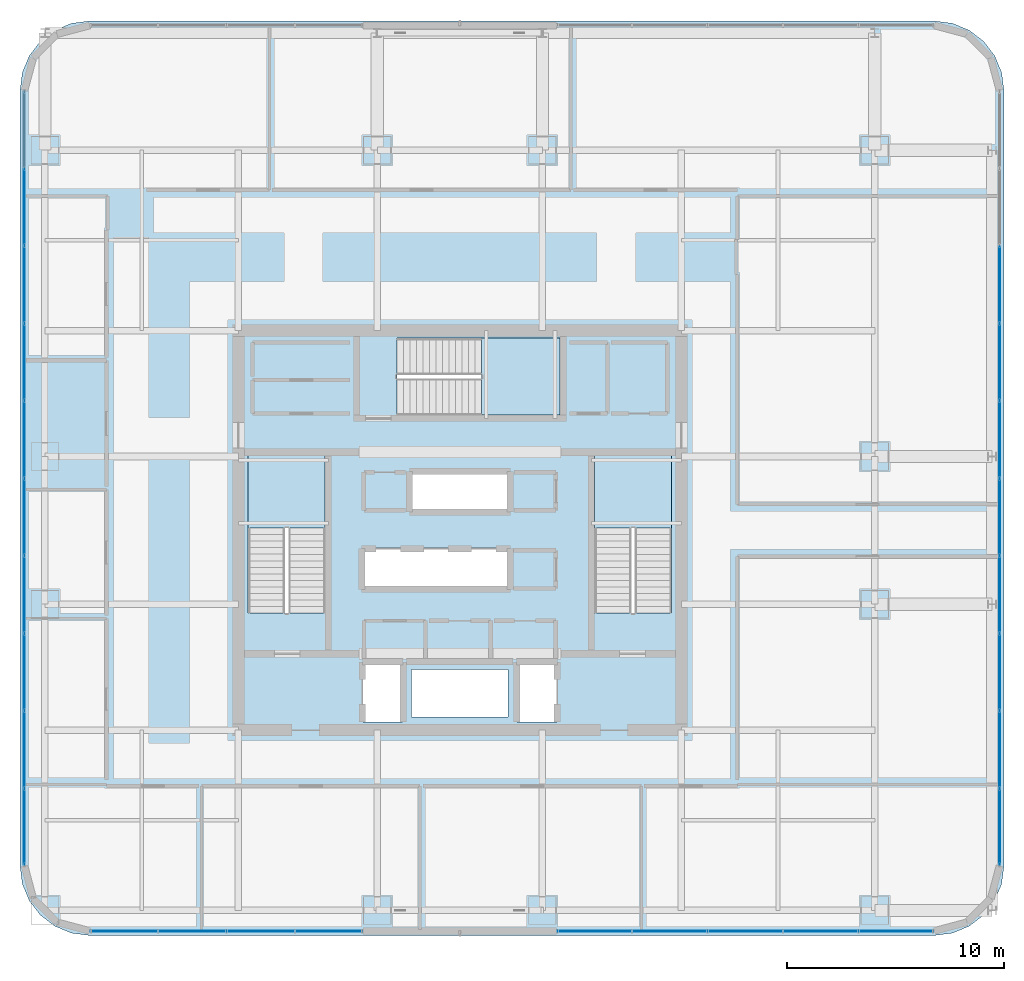
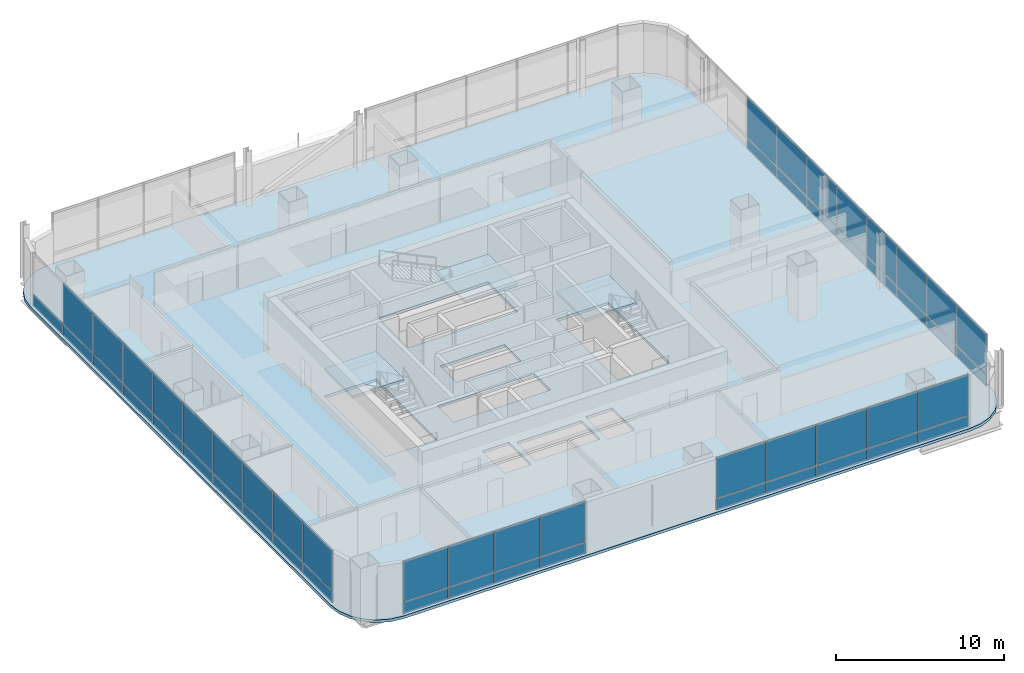
# One storey, part 29 of 44: 53 plates, 4 slabs, 7 elements without a shape of their own.
"""IFC4 building model written with IfcOpenShell, lengths in metres."""

import ifcopenshell
import ifcopenshell.guid

model = None  # the IFC model being written
_history = None  # IfcOwnerHistory: only IFC2X3 demands one
_inside = {}  # id of a spatial element -> (the spatial element, [elements in it])
_under = {}  # id of a project, library or spatial element -> (it, [spatial elements below it])
_declared = {}  # id of a project -> (the project, [libraries it declares])
_typed = {}  # id of a type object -> (the type object, [elements of that type])
_made_of = {}  # id of a material, layer set ... -> (it, [elements and type objects made of it])


def new_model(schema):
    """Start an empty IFC model of exactly this schema.

    Asked for "IFC4X3", IfcOpenShell would pick the latest addendum, in which some entities
    have other attributes; the version numbers below select the first issue.
    IFC2X3 requires an IfcOwnerHistory on every rooted entity: one is made here for all.
    """
    global model, _history
    if schema == "IFC4X3":
        model = ifcopenshell.file(schema_version=(4, 3, 0, 0))
    else:
        model = ifcopenshell.file(schema=schema)
    _inside.clear()
    _under.clear()
    _declared.clear()
    _typed.clear()
    _made_of.clear()
    _history = None
    if model.schema == "IFC2X3":
        org = make("IfcOrganization", Name="unknown")
        user = make(
            "IfcPersonAndOrganization",
            ThePerson=make("IfcPerson", FamilyName="unknown"),
            TheOrganization=org,
        )
        app = make(
            "IfcApplication",
            ApplicationDeveloper=org,
            Version="unknown",
            ApplicationFullName="unknown",
            ApplicationIdentifier="unknown",
        )
        _history = make(
            "IfcOwnerHistory",
            OwningUser=user,
            OwningApplication=app,
            ChangeAction="ADDED",
            CreationDate=0,
        )
    return model


def make(cls, **values):
    """One entity of the class cls with the attributes given. An attribute that is None is left unset."""
    return model.create_entity(
        cls, **{name: value for name, value in values.items() if value is not None}
    )


def rooted(cls, **values):
    """An entity with a GlobalId (a new one), such as an element, a storey or a relation."""
    return make(cls, GlobalId=ifcopenshell.guid.new(), OwnerHistory=_history, **values)


def si_unit(unit_type, name, prefix=None):
    """IfcSIUnit, for example si_unit("LENGTHUNIT", "METRE", prefix="MILLI")."""
    return make("IfcSIUnit", UnitType=unit_type, Prefix=prefix, Name=name)


def assignment(units):
    """IfcUnitAssignment: the units of a project."""
    return None if units is None else make("IfcUnitAssignment", Units=units)


def point(xyz):
    """IfcCartesianPoint."""
    return None if xyz is None else make("IfcCartesianPoint", Coordinates=xyz)


def direction(xyz):
    """IfcDirection."""
    return None if xyz is None else make("IfcDirection", DirectionRatios=xyz)


def frame(location, z_axis=None, x_axis=None):
    """IfcAxis2Placement3D, a coordinate frame: its origin and axes. An axis left out is left unset."""
    return make(
        "IfcAxis2Placement3D",
        Location=point(location),
        Axis=direction(z_axis),
        RefDirection=direction(x_axis),
    )


def frame_2d(location, x_axis=None):
    """IfcAxis2Placement2D, a coordinate frame in the plane: its origin and x axis."""
    return make(
        "IfcAxis2Placement2D", Location=point(location), RefDirection=direction(x_axis)
    )


def origin():
    """The frame at (0, 0, 0) with its axes left unset."""
    return frame((0.0, 0.0, 0.0))


def origin_2d():
    """The frame at (0, 0) in the plane with its x axis left unset."""
    return frame_2d((0.0, 0.0))


def place(relative_to, where):
    """IfcLocalPlacement: puts the frame where relative to a parent placement (None: the world)."""
    return make(
        "IfcLocalPlacement", PlacementRelTo=relative_to, RelativePlacement=where
    )


def context(
    kind, dimensions, precision=None, world=None, true_north=None, identifier=None
):
    """IfcGeometricRepresentationContext, for example the 3D "Model" context."""
    return make(
        "IfcGeometricRepresentationContext",
        ContextIdentifier=identifier,
        ContextType=kind,
        CoordinateSpaceDimension=dimensions,
        Precision=precision,
        WorldCoordinateSystem=world,
        TrueNorth=true_north,
    )


def subcontext(parent, identifier, kind, view, scale=None):
    """IfcGeometricRepresentationSubContext, for example "Body" below "Model"."""
    return make(
        "IfcGeometricRepresentationSubContext",
        ContextIdentifier=identifier,
        ContextType=kind,
        ParentContext=parent,
        TargetScale=scale,
        TargetView=view,
    )


def project(units=None, contexts=None):
    """IfcProject with its units and contexts."""
    return rooted(
        "IfcProject",
        Name="project",
        RepresentationContexts=contexts,
        UnitsInContext=assignment(units),
    )


def spatial(cls, under=None, at=None, **own):
    """A site, building, storey or space (cls), placed at a placement, below another one or the project."""
    s = rooted(cls, ObjectPlacement=at, **own)
    if under is not None:
        _under.setdefault(under.id(), (under, []))[1].append(s)
    return s


def polyline(points):
    """IfcPolyline through the points."""
    return make("IfcPolyline", Points=[point(p) for p in points])


def profile(cls, at=None, kind="AREA", **sizes):
    """A parametric profile (cls). Its sizes go by their IFC names, for example OverallWidth=200.0."""
    return make(cls, ProfileType=kind, Position=at, **sizes)


def rectangle(**sizes):
    """IfcRectangleProfileDef."""
    return profile("IfcRectangleProfileDef", **sizes)


def outline(outer, holes=None, kind="AREA"):
    """IfcArbitraryClosedProfileDef: a profile drawn as a closed curve; with holes, ...WithVoids."""
    if holes is None:
        return make("IfcArbitraryClosedProfileDef", ProfileType=kind, OuterCurve=outer)
    return make(
        "IfcArbitraryProfileDefWithVoids",
        ProfileType=kind,
        OuterCurve=outer,
        InnerCurves=holes,
    )


def extrude(swept, where, along, depth):
    """IfcExtrudedAreaSolid: the profile swept, set in the frame where, extruded along a direction by depth."""
    return make(
        "IfcExtrudedAreaSolid",
        SweptArea=swept,
        Position=where,
        ExtrudedDirection=direction(along),
        Depth=depth,
    )


def shape(context_of_items, identifier, shape_type, items):
    """IfcShapeRepresentation: the items that make up one representation, for example the "Body"."""
    return make(
        "IfcShapeRepresentation",
        ContextOfItems=context_of_items,
        RepresentationIdentifier=identifier,
        RepresentationType=shape_type,
        Items=items,
    )


def material(Name=None, Category=None):
    """IfcMaterial."""
    return make("IfcMaterial", Name=Name, Category=Category)


def layer(
    of_material, thickness, ventilated=None, Name=None, Category=None, Priority=None
):
    """IfcMaterialLayer: one layer of a wall or slab, of a material (None: an air gap)."""
    return make(
        "IfcMaterialLayer",
        Material=of_material,
        LayerThickness=thickness,
        IsVentilated=ventilated,
        Name=Name,
        Category=Category,
        Priority=Priority,
    )


def layer_set(layers, Name=None):
    """IfcMaterialLayerSet."""
    return make("IfcMaterialLayerSet", MaterialLayers=layers, LayerSetName=Name)


def made_of(thing, what):
    """Note that an element or type object is made of a material, layer set ...; save() writes the relation."""
    if what is not None:
        _made_of.setdefault(what.id(), (what, []))[1].append(thing)
    return thing


def type_object(cls, material=None, **own):
    """A type object (cls), such as IfcWallType, which elements share."""
    return made_of(rooted(cls, **own), material)


def element(
    cls,
    number,
    at=None,
    inside=None,
    cuts=None,
    type_object=None,
    material=None,
    context=None,
    identifier="Body",
    shape_type=None,
    held_by="IfcProductDefinitionShape",
    body=None,
    shapes=None,
    **own,
):
    """One element of the class cls, such as IfcWall. Its Tag is "e" and its number.

    at: its placement. inside: the storey or other place that contains it. cuts: it is an
    opening in that element (IfcRelVoidsElement). A single representation is given by context,
    identifier, shape_type and body (its items); several are given by shapes. held_by: the class
    of the entity that holds the representations. save() writes the other relations.
    """
    e = rooted(cls, Tag="e%d" % number, ObjectPlacement=at, **own)
    if body is not None:
        shapes = [shape(context, identifier, shape_type, body)]
    if shapes is not None:
        e.Representation = make(held_by, Representations=shapes)
    if inside is not None:
        _inside.setdefault(inside.id(), (inside, []))[1].append(e)
    if cuts is not None:
        rooted(
            "IfcRelVoidsElement", RelatingBuildingElement=cuts, RelatedOpeningElement=e
        )
    if type_object is not None:
        _typed.setdefault(type_object.id(), (type_object, []))[1].append(e)
    return made_of(e, material)


def aggregate(whole, parts):
    """IfcRelAggregates: a whole, such as a stair, and the parts it consists of."""
    return rooted("IfcRelAggregates", RelatingObject=whole, RelatedObjects=parts)


def save(model, path):
    """Write the relations noted so far, then the file.

    IfcRelAggregates (storeys below a building ...), IfcRelContainedInSpatialStructure (elements
    in a storey), IfcRelDefinesByType, IfcRelAssociatesMaterial and IfcRelDeclares: one each for
    every whole, place, type object, material and project.
    """
    for whole, parts in _under.values():
        aggregate(whole, parts)
    for where, things in _inside.values():
        rooted(
            "IfcRelContainedInSpatialStructure",
            RelatedElements=things,
            RelatingStructure=where,
        )
    for kind, things in _typed.values():
        rooted("IfcRelDefinesByType", RelatedObjects=things, RelatingType=kind)
    for what, things in _made_of.values():
        rooted("IfcRelAssociatesMaterial", RelatedObjects=things, RelatingMaterial=what)
    for by, libraries in _declared.values():
        rooted("IfcRelDeclares", RelatingContext=by, RelatedDefinitions=libraries)
    model.write(path)


model = new_model("IFC4")

# Units and contexts
model_context = context("Model", 3, precision=1e-05, world=origin(), true_north=direction((0.0, 1.0)))
body_context = subcontext(model_context, "Body", "Model", "MODEL_VIEW")
ifc_project = project(units=[si_unit("LENGTHUNIT", "METRE"), si_unit("AREAUNIT", "SQUARE_METRE"), si_unit("VOLUMEUNIT", "CUBIC_METRE"), si_unit("PLANEANGLEUNIT", "RADIAN"), si_unit("MASSUNIT", "GRAM", prefix="KILO")], contexts=[model_context])

# Site, building, storey
site_placement = place(None, origin())
site = spatial("IfcSite", under=ifc_project, at=site_placement, CompositionType="ELEMENT")
building_placement = place(site_placement, origin())
building = spatial("IfcBuilding", under=site, at=building_placement, Name="Punatoya Terracotta Tower", CompositionType="ELEMENT")
storey_placement = place(building_placement, frame((0.0, 0.0, 267.60009765625)))
storey = spatial("IfcBuildingStorey", under=building, at=storey_placement, Name="L63", CompositionType="ELEMENT", Elevation=267.60009765625)

# Curtain wall, plates
ifc_material_1 = material(Name="Aluminium 6063-T6 + Double Low-E Glass", Category="aluminium")
curtain_wall_type = type_object("IfcCurtainWallType", Name="CW-M3", PredefinedType="NOTDEFINED", material=ifc_material_1)
curtain_wall_1_placement = place(storey_placement, origin())
curtain_wall_1 = element("IfcCurtainWall", 1, at=curtain_wall_1_placement, inside=storey, type_object=curtain_wall_type, Name="L63 Curtain Wall CW-L63-S01-1", PredefinedType="NOTDEFINED")
ifc_material_2 = material(Name="Double Low-E Acoustic Vision Glass", Category="glass")
ifc_layer_1 = layer(ifc_material_2, 0.031982421875)
ifc_layer_set_1 = layer_set([ifc_layer_1], Name="Double Low-E Acoustic Vision Glass")
plate_type_1 = type_object("IfcPlateType", Name="PLT-GLZ-32", PredefinedType="CURTAIN_PANEL", material=ifc_layer_set_1)
plate_1_placement = place(storey_placement, frame((-15.46337890625, -18.449951171875, 0.889892578125), z_axis=(0.0, 0.0, 1.0), x_axis=(1.0, 0.0, 0.0)))
plate_1 = element("IfcPlate", 2, at=plate_1_placement, type_object=plate_type_1, Name="CW-L63-S01-1 Vision Glass Panel 1", PredefinedType="CURTAIN_PANEL", context=body_context, shape_type="SweptSolid", body=[
    extrude(rectangle(XDim=3.061767578125, YDim=0.031982421875, at=origin_2d()), origin(), (0.0, 0.0, 1.0), 2.919921875),
])
plate_2_placement = place(storey_placement, frame((-12.31689453125, -18.449951171875, 0.889892578125), z_axis=(0.0, 0.0, 1.0), x_axis=(1.0, 0.0, 0.0)))
plate_2 = element("IfcPlate", 3, at=plate_2_placement, type_object=plate_type_1, Name="CW-L63-S01-1 Vision Glass Panel 2", PredefinedType="CURTAIN_PANEL", context=body_context, shape_type="SweptSolid", body=[
    extrude(rectangle(XDim=3.061767578125, YDim=0.031982421875, at=origin_2d()), origin(), (0.0, 0.0, 1.0), 2.919921875),
])
plate_3_placement = place(storey_placement, frame((-9.170166015625, -18.449951171875, 0.889892578125), z_axis=(0.0, 0.0, 1.0), x_axis=(1.0, 0.0, 0.0)))
plate_3 = element("IfcPlate", 4, at=plate_3_placement, type_object=plate_type_1, Name="CW-L63-S01-1 Vision Glass Panel 3", PredefinedType="CURTAIN_PANEL", context=body_context, shape_type="SweptSolid", body=[
    extrude(rectangle(XDim=3.061767578125, YDim=0.031982421875, at=origin_2d()), origin(), (0.0, 0.0, 1.0), 2.919921875),
])
plate_4_placement = place(storey_placement, frame((-6.0234375, -18.449951171875, 0.889892578125), z_axis=(0.0, 0.0, 1.0), x_axis=(1.0, 0.0, 0.0)))
plate_4 = element("IfcPlate", 5, at=plate_4_placement, type_object=plate_type_1, Name="CW-L63-S01-1 Vision Glass Panel 4", PredefinedType="CURTAIN_PANEL", context=body_context, shape_type="SweptSolid", body=[
    extrude(rectangle(XDim=3.061767578125, YDim=0.031982421875, at=origin_2d()), origin(), (0.0, 0.0, 1.0), 2.919921875),
])

curtain_wall_2_placement = place(storey_placement, origin())
curtain_wall_2 = element("IfcCurtainWall", 6, at=curtain_wall_2_placement, inside=storey, type_object=curtain_wall_type, Name="L63 Curtain Wall CW-L63-S01-2", PredefinedType="NOTDEFINED")
plate_5_placement = place(storey_placement, frame((6.188720703125, -18.449951171875, 0.889892578125), z_axis=(0.0, 0.0, 1.0), x_axis=(1.0, 0.0, 0.0)))
plate_5 = element("IfcPlate", 7, at=plate_5_placement, type_object=plate_type_1, Name="CW-L63-S01-2 Vision Glass Panel 1", PredefinedType="CURTAIN_PANEL", context=body_context, shape_type="SweptSolid", body=[
    extrude(rectangle(XDim=3.392333984375, YDim=0.031982421875, at=origin_2d()), origin(), (0.0, 0.0, 1.0), 2.919921875),
])
plate_6_placement = place(storey_placement, frame((9.666015625, -18.449951171875, 0.889892578125), z_axis=(0.0, 0.0, 1.0), x_axis=(1.0, 0.0, 0.0)))
plate_6 = element("IfcPlate", 8, at=plate_6_placement, type_object=plate_type_1, Name="CW-L63-S01-2 Vision Glass Panel 2", PredefinedType="CURTAIN_PANEL", context=body_context, shape_type="SweptSolid", body=[
    extrude(rectangle(XDim=3.392333984375, YDim=0.031982421875, at=origin_2d()), origin(), (0.0, 0.0, 1.0), 2.919921875),
])
plate_7_placement = place(storey_placement, frame((13.1435546875, -18.449951171875, 0.889892578125), z_axis=(0.0, 0.0, 1.0), x_axis=(1.0, 0.0, 0.0)))
plate_7 = element("IfcPlate", 9, at=plate_7_placement, type_object=plate_type_1, Name="CW-L63-S01-2 Vision Glass Panel 3", PredefinedType="CURTAIN_PANEL", context=body_context, shape_type="SweptSolid", body=[
    extrude(rectangle(XDim=3.392333984375, YDim=0.031982421875, at=origin_2d()), origin(), (0.0, 0.0, 1.0), 2.919921875),
])
plate_8_placement = place(storey_placement, frame((16.620849609375, -18.449951171875, 0.889892578125), z_axis=(0.0, 0.0, 1.0), x_axis=(1.0, 0.0, 0.0)))
plate_8 = element("IfcPlate", 10, at=plate_8_placement, type_object=plate_type_1, Name="CW-L63-S01-2 Vision Glass Panel 4", PredefinedType="CURTAIN_PANEL", context=body_context, shape_type="SweptSolid", body=[
    extrude(rectangle(XDim=3.392333984375, YDim=0.031982421875, at=origin_2d()), origin(), (0.0, 0.0, 1.0), 2.919921875),
])
plate_9_placement = place(storey_placement, frame((20.09814453125, -18.449951171875, 0.889892578125), z_axis=(0.0, 0.0, 1.0), x_axis=(1.0, 0.0, 0.0)))
plate_9 = element("IfcPlate", 11, at=plate_9_placement, type_object=plate_type_1, Name="CW-L63-S01-2 Vision Glass Panel 5", PredefinedType="CURTAIN_PANEL", context=body_context, shape_type="SweptSolid", body=[
    extrude(rectangle(XDim=3.392333984375, YDim=0.031982421875, at=origin_2d()), origin(), (0.0, 0.0, 1.0), 2.919921875),
])

curtain_wall_3_placement = place(storey_placement, origin())
curtain_wall_3 = element("IfcCurtainWall", 12, at=curtain_wall_3_placement, inside=storey, type_object=curtain_wall_type, Name="L63 Curtain Wall CW-L63-E05-1", PredefinedType="NOTDEFINED")
plate_10_placement = place(storey_placement, frame((24.85009765625, -13.6533203125, 0.889892578125), z_axis=(0.0, 0.0, 1.0), x_axis=(0.0, 1.0, 0.0)))
plate_10 = element("IfcPlate", 13, at=plate_10_placement, type_object=plate_type_1, Name="CW-L63-E05-1 Vision Glass Panel 1", PredefinedType="CURTAIN_PANEL", context=body_context, shape_type="SweptSolid", body=[
    extrude(rectangle(XDim=3.482421875, YDim=0.031982421875, at=origin_2d()), origin(), (0.0, 0.0, 1.0), 2.919921875),
])
plate_11_placement = place(storey_placement, frame((24.85009765625, -10.085693359375, 0.889892578125), z_axis=(0.0, 0.0, 1.0), x_axis=(0.0, 1.0, 0.0)))
plate_11 = element("IfcPlate", 14, at=plate_11_placement, type_object=plate_type_1, Name="CW-L63-E05-1 Vision Glass Panel 2", PredefinedType="CURTAIN_PANEL", context=body_context, shape_type="SweptSolid", body=[
    extrude(rectangle(XDim=3.482421875, YDim=0.031982421875, at=origin_2d()), origin(), (0.0, 0.0, 1.0), 2.919921875),
])
plate_12_placement = place(storey_placement, frame((24.85009765625, -6.518310546875, 0.889892578125), z_axis=(0.0, 0.0, 1.0), x_axis=(0.0, 1.0, 0.0)))
plate_12 = element("IfcPlate", 15, at=plate_12_placement, type_object=plate_type_1, Name="CW-L63-E05-1 Vision Glass Panel 3", PredefinedType="CURTAIN_PANEL", context=body_context, shape_type="SweptSolid", body=[
    extrude(rectangle(XDim=3.482421875, YDim=0.031982421875, at=origin_2d()), origin(), (0.0, 0.0, 1.0), 2.919921875),
])
plate_13_placement = place(storey_placement, frame((24.85009765625, -2.951171875, 0.889892578125), z_axis=(0.0, 0.0, 1.0), x_axis=(0.0, 1.0, 0.0)))
plate_13 = element("IfcPlate", 16, at=plate_13_placement, type_object=plate_type_1, Name="CW-L63-E05-1 Vision Glass Panel 4", PredefinedType="CURTAIN_PANEL", context=body_context, shape_type="SweptSolid", body=[
    extrude(rectangle(XDim=3.482421875, YDim=0.031982421875, at=origin_2d()), origin(), (0.0, 0.0, 1.0), 2.919921875),
])
plate_14_placement = place(storey_placement, frame((24.85009765625, 0.6162109375, 0.889892578125), z_axis=(0.0, 0.0, 1.0), x_axis=(0.0, 1.0, 0.0)))
plate_14 = element("IfcPlate", 17, at=plate_14_placement, type_object=plate_type_1, Name="CW-L63-E05-1 Vision Glass Panel 5", PredefinedType="CURTAIN_PANEL", context=body_context, shape_type="SweptSolid", body=[
    extrude(rectangle(XDim=3.482421875, YDim=0.031982421875, at=origin_2d()), origin(), (0.0, 0.0, 1.0), 2.919921875),
])
plate_15_placement = place(storey_placement, frame((24.85009765625, 4.18359375, 0.889892578125), z_axis=(0.0, 0.0, 1.0), x_axis=(0.0, 1.0, 0.0)))
plate_15 = element("IfcPlate", 18, at=plate_15_placement, type_object=plate_type_1, Name="CW-L63-E05-1 Vision Glass Panel 6", PredefinedType="CURTAIN_PANEL", context=body_context, shape_type="SweptSolid", body=[
    extrude(rectangle(XDim=3.482421875, YDim=0.031982421875, at=origin_2d()), origin(), (0.0, 0.0, 1.0), 2.919921875),
])
plate_16_placement = place(storey_placement, frame((24.85009765625, 7.751220703125, 0.889892578125), z_axis=(0.0, 0.0, 1.0), x_axis=(0.0, 1.0, 0.0)))
plate_16 = element("IfcPlate", 19, at=plate_16_placement, type_object=plate_type_1, Name="CW-L63-E05-1 Vision Glass Panel 7", PredefinedType="CURTAIN_PANEL", context=body_context, shape_type="SweptSolid", body=[
    extrude(rectangle(XDim=3.482421875, YDim=0.031982421875, at=origin_2d()), origin(), (0.0, 0.0, 1.0), 2.919921875),
])
plate_17_placement = place(storey_placement, frame((24.85009765625, 11.318359375, 0.889892578125), z_axis=(0.0, 0.0, 1.0), x_axis=(0.0, 1.0, 0.0)))
plate_17 = element("IfcPlate", 20, at=plate_17_placement, type_object=plate_type_1, Name="CW-L63-E05-1 Vision Glass Panel 8", PredefinedType="CURTAIN_PANEL", context=body_context, shape_type="SweptSolid", body=[
    extrude(rectangle(XDim=3.482421875, YDim=0.031982421875, at=origin_2d()), origin(), (0.0, 0.0, 1.0), 2.919921875),
])

curtain_wall_4_placement = place(storey_placement, origin())
curtain_wall_4 = element("IfcCurtainWall", 21, at=curtain_wall_4_placement, inside=storey, type_object=curtain_wall_type, Name="L63 Curtain Wall CW-L63-W13-1", PredefinedType="NOTDEFINED")
plate_18_placement = place(storey_placement, frame((-20.050048828125, 14.8857421875, 0.889892578125), z_axis=(0.0, 0.0, 1.0), x_axis=(0.0, -1.0, 0.0)))
plate_18 = element("IfcPlate", 22, at=plate_18_placement, type_object=plate_type_1, Name="CW-L63-W13-1 Vision Glass Panel 2", PredefinedType="CURTAIN_PANEL", context=body_context, shape_type="SweptSolid", body=[
    extrude(rectangle(XDim=3.482421875, YDim=0.031982421875, at=origin_2d()), origin(), (0.0, 0.0, 1.0), 2.919921875),
])
plate_19_placement = place(storey_placement, frame((-20.050048828125, 11.318359375, 0.889892578125), z_axis=(0.0, 0.0, 1.0), x_axis=(0.0, -1.0, 0.0)))
plate_19 = element("IfcPlate", 23, at=plate_19_placement, type_object=plate_type_1, Name="CW-L63-W13-1 Vision Glass Panel 3", PredefinedType="CURTAIN_PANEL", context=body_context, shape_type="SweptSolid", body=[
    extrude(rectangle(XDim=3.482421875, YDim=0.031982421875, at=origin_2d()), origin(), (0.0, 0.0, 1.0), 2.919921875),
])
plate_20_placement = place(storey_placement, frame((-20.050048828125, 7.751220703125, 0.889892578125), z_axis=(0.0, 0.0, 1.0), x_axis=(0.0, -1.0, 0.0)))
plate_20 = element("IfcPlate", 24, at=plate_20_placement, type_object=plate_type_1, Name="CW-L63-W13-1 Vision Glass Panel 4", PredefinedType="CURTAIN_PANEL", context=body_context, shape_type="SweptSolid", body=[
    extrude(rectangle(XDim=3.482421875, YDim=0.031982421875, at=origin_2d()), origin(), (0.0, 0.0, 1.0), 2.919921875),
])
plate_21_placement = place(storey_placement, frame((-20.050048828125, 4.18359375, 0.889892578125), z_axis=(0.0, 0.0, 1.0), x_axis=(0.0, -1.0, 0.0)))
plate_21 = element("IfcPlate", 25, at=plate_21_placement, type_object=plate_type_1, Name="CW-L63-W13-1 Vision Glass Panel 5", PredefinedType="CURTAIN_PANEL", context=body_context, shape_type="SweptSolid", body=[
    extrude(rectangle(XDim=3.482421875, YDim=0.031982421875, at=origin_2d()), origin(), (0.0, 0.0, 1.0), 2.919921875),
])
plate_22_placement = place(storey_placement, frame((-20.050048828125, 0.6162109375, 0.889892578125), z_axis=(0.0, 0.0, 1.0), x_axis=(0.0, -1.0, 0.0)))
plate_22 = element("IfcPlate", 26, at=plate_22_placement, type_object=plate_type_1, Name="CW-L63-W13-1 Vision Glass Panel 6", PredefinedType="CURTAIN_PANEL", context=body_context, shape_type="SweptSolid", body=[
    extrude(rectangle(XDim=3.482421875, YDim=0.031982421875, at=origin_2d()), origin(), (0.0, 0.0, 1.0), 2.919921875),
])
plate_23_placement = place(storey_placement, frame((-20.050048828125, -2.951171875, 0.889892578125), z_axis=(0.0, 0.0, 1.0), x_axis=(0.0, -1.0, 0.0)))
plate_23 = element("IfcPlate", 27, at=plate_23_placement, type_object=plate_type_1, Name="CW-L63-W13-1 Vision Glass Panel 7", PredefinedType="CURTAIN_PANEL", context=body_context, shape_type="SweptSolid", body=[
    extrude(rectangle(XDim=3.482421875, YDim=0.031982421875, at=origin_2d()), origin(), (0.0, 0.0, 1.0), 2.919921875),
])
plate_24_placement = place(storey_placement, frame((-20.050048828125, -6.518310546875, 0.889892578125), z_axis=(0.0, 0.0, 1.0), x_axis=(0.0, -1.0, 0.0)))
plate_24 = element("IfcPlate", 28, at=plate_24_placement, type_object=plate_type_1, Name="CW-L63-W13-1 Vision Glass Panel 8", PredefinedType="CURTAIN_PANEL", context=body_context, shape_type="SweptSolid", body=[
    extrude(rectangle(XDim=3.482421875, YDim=0.031982421875, at=origin_2d()), origin(), (0.0, 0.0, 1.0), 2.919921875),
])
plate_25_placement = place(storey_placement, frame((-20.050048828125, -10.085693359375, 0.889892578125), z_axis=(0.0, 0.0, 1.0), x_axis=(0.0, -1.0, 0.0)))
plate_25 = element("IfcPlate", 29, at=plate_25_placement, type_object=plate_type_1, Name="CW-L63-W13-1 Vision Glass Panel 9", PredefinedType="CURTAIN_PANEL", context=body_context, shape_type="SweptSolid", body=[
    extrude(rectangle(XDim=3.482421875, YDim=0.031982421875, at=origin_2d()), origin(), (0.0, 0.0, 1.0), 2.919921875),
])
plate_26_placement = place(storey_placement, frame((-20.050048828125, -13.6533203125, 0.889892578125), z_axis=(0.0, 0.0, 1.0), x_axis=(0.0, -1.0, 0.0)))
plate_26 = element("IfcPlate", 30, at=plate_26_placement, type_object=plate_type_1, Name="CW-L63-W13-1 Vision Glass Panel 10", PredefinedType="CURTAIN_PANEL", context=body_context, shape_type="SweptSolid", body=[
    extrude(rectangle(XDim=3.482421875, YDim=0.031982421875, at=origin_2d()), origin(), (0.0, 0.0, 1.0), 2.919921875),
])

# Plate
ifc_material_3 = material(Name="Insulated Terracotta-Backed Spandrel Panel", Category="masonry")
ifc_layer_2 = layer(ifc_material_3, 0.044921875)
ifc_layer_set_2 = layer_set([ifc_layer_2], Name="Insulated Terracotta-Backed Spandrel Panel")
plate_type_2 = type_object("IfcPlateType", Name="PLT-SPN-45", PredefinedType="CURTAIN_PANEL", material=ifc_layer_set_2)
plate_27_placement = place(storey_placement, frame((-15.46337890625, -18.449951171875, 0.0400390625), z_axis=(0.0, 0.0, 1.0), x_axis=(1.0, 0.0, 0.0)))
plate_27 = element("IfcPlate", 31, at=plate_27_placement, type_object=plate_type_2, Name="CW-L63-S01-1 Terracotta Spandrel Panel 1", PredefinedType="CURTAIN_PANEL", context=body_context, shape_type="SweptSolid", body=[
    extrude(rectangle(XDim=3.061767578125, YDim=0.044921875, at=origin_2d()), origin(), (0.0, 0.0, 1.0), 0.77490234375),
])

plate_28_placement = place(storey_placement, frame((-12.31689453125, -18.449951171875, 0.0400390625), z_axis=(0.0, 0.0, 1.0), x_axis=(1.0, 0.0, 0.0)))
plate_28 = element("IfcPlate", 32, at=plate_28_placement, type_object=plate_type_2, Name="CW-L63-S01-1 Terracotta Spandrel Panel 2", PredefinedType="CURTAIN_PANEL", context=body_context, shape_type="SweptSolid", body=[
    extrude(rectangle(XDim=3.061767578125, YDim=0.044921875, at=origin_2d()), origin(), (0.0, 0.0, 1.0), 0.77490234375),
])

plate_29_placement = place(storey_placement, frame((-9.170166015625, -18.449951171875, 0.0400390625), z_axis=(0.0, 0.0, 1.0), x_axis=(1.0, 0.0, 0.0)))
plate_29 = element("IfcPlate", 33, at=plate_29_placement, type_object=plate_type_2, Name="CW-L63-S01-1 Terracotta Spandrel Panel 3", PredefinedType="CURTAIN_PANEL", context=body_context, shape_type="SweptSolid", body=[
    extrude(rectangle(XDim=3.061767578125, YDim=0.044921875, at=origin_2d()), origin(), (0.0, 0.0, 1.0), 0.77490234375),
])

plate_30_placement = place(storey_placement, frame((-6.0234375, -18.449951171875, 0.0400390625), z_axis=(0.0, 0.0, 1.0), x_axis=(1.0, 0.0, 0.0)))
plate_30 = element("IfcPlate", 34, at=plate_30_placement, type_object=plate_type_2, Name="CW-L63-S01-1 Terracotta Spandrel Panel 4", PredefinedType="CURTAIN_PANEL", context=body_context, shape_type="SweptSolid", body=[
    extrude(rectangle(XDim=3.061767578125, YDim=0.044921875, at=origin_2d()), origin(), (0.0, 0.0, 1.0), 0.77490234375),
])

aggregate(curtain_wall_1, [plate_27, plate_1, plate_28, plate_2, plate_29, plate_3, plate_30, plate_4])

plate_31_placement = place(storey_placement, frame((6.188720703125, -18.449951171875, 0.0400390625), z_axis=(0.0, 0.0, 1.0), x_axis=(1.0, 0.0, 0.0)))
plate_31 = element("IfcPlate", 35, at=plate_31_placement, type_object=plate_type_2, Name="CW-L63-S01-2 Terracotta Spandrel Panel 1", PredefinedType="CURTAIN_PANEL", context=body_context, shape_type="SweptSolid", body=[
    extrude(rectangle(XDim=3.392333984375, YDim=0.044921875, at=origin_2d()), origin(), (0.0, 0.0, 1.0), 0.77490234375),
])

plate_32_placement = place(storey_placement, frame((9.666015625, -18.449951171875, 0.0400390625), z_axis=(0.0, 0.0, 1.0), x_axis=(1.0, 0.0, 0.0)))
plate_32 = element("IfcPlate", 36, at=plate_32_placement, type_object=plate_type_2, Name="CW-L63-S01-2 Terracotta Spandrel Panel 2", PredefinedType="CURTAIN_PANEL", context=body_context, shape_type="SweptSolid", body=[
    extrude(rectangle(XDim=3.392333984375, YDim=0.044921875, at=origin_2d()), origin(), (0.0, 0.0, 1.0), 0.77490234375),
])

plate_33_placement = place(storey_placement, frame((13.1435546875, -18.449951171875, 0.0400390625), z_axis=(0.0, 0.0, 1.0), x_axis=(1.0, 0.0, 0.0)))
plate_33 = element("IfcPlate", 37, at=plate_33_placement, type_object=plate_type_2, Name="CW-L63-S01-2 Terracotta Spandrel Panel 3", PredefinedType="CURTAIN_PANEL", context=body_context, shape_type="SweptSolid", body=[
    extrude(rectangle(XDim=3.392333984375, YDim=0.044921875, at=origin_2d()), origin(), (0.0, 0.0, 1.0), 0.77490234375),
])

plate_34_placement = place(storey_placement, frame((16.620849609375, -18.449951171875, 0.0400390625), z_axis=(0.0, 0.0, 1.0), x_axis=(1.0, 0.0, 0.0)))
plate_34 = element("IfcPlate", 38, at=plate_34_placement, type_object=plate_type_2, Name="CW-L63-S01-2 Terracotta Spandrel Panel 4", PredefinedType="CURTAIN_PANEL", context=body_context, shape_type="SweptSolid", body=[
    extrude(rectangle(XDim=3.392333984375, YDim=0.044921875, at=origin_2d()), origin(), (0.0, 0.0, 1.0), 0.77490234375),
])

plate_35_placement = place(storey_placement, frame((20.09814453125, -18.449951171875, 0.0400390625), z_axis=(0.0, 0.0, 1.0), x_axis=(1.0, 0.0, 0.0)))
plate_35 = element("IfcPlate", 39, at=plate_35_placement, type_object=plate_type_2, Name="CW-L63-S01-2 Terracotta Spandrel Panel 5", PredefinedType="CURTAIN_PANEL", context=body_context, shape_type="SweptSolid", body=[
    extrude(rectangle(XDim=3.392333984375, YDim=0.044921875, at=origin_2d()), origin(), (0.0, 0.0, 1.0), 0.77490234375),
])

aggregate(curtain_wall_2, [plate_31, plate_5, plate_32, plate_6, plate_33, plate_7, plate_34, plate_8, plate_35, plate_9])

plate_36_placement = place(storey_placement, frame((24.85009765625, -13.6533203125, 0.0400390625), z_axis=(0.0, 0.0, 1.0), x_axis=(0.0, 1.0, 0.0)))
plate_36 = element("IfcPlate", 40, at=plate_36_placement, type_object=plate_type_2, Name="CW-L63-E05-1 Terracotta Spandrel Panel 1", PredefinedType="CURTAIN_PANEL", context=body_context, shape_type="SweptSolid", body=[
    extrude(rectangle(XDim=3.482421875, YDim=0.044921875, at=origin_2d()), origin(), (0.0, 0.0, 1.0), 0.77490234375),
])

plate_37_placement = place(storey_placement, frame((24.85009765625, -10.085693359375, 0.0400390625), z_axis=(0.0, 0.0, 1.0), x_axis=(0.0, 1.0, 0.0)))
plate_37 = element("IfcPlate", 41, at=plate_37_placement, type_object=plate_type_2, Name="CW-L63-E05-1 Terracotta Spandrel Panel 2", PredefinedType="CURTAIN_PANEL", context=body_context, shape_type="SweptSolid", body=[
    extrude(rectangle(XDim=3.482421875, YDim=0.044921875, at=origin_2d()), origin(), (0.0, 0.0, 1.0), 0.77490234375),
])

plate_38_placement = place(storey_placement, frame((24.85009765625, -6.518310546875, 0.0400390625), z_axis=(0.0, 0.0, 1.0), x_axis=(0.0, 1.0, 0.0)))
plate_38 = element("IfcPlate", 42, at=plate_38_placement, type_object=plate_type_2, Name="CW-L63-E05-1 Terracotta Spandrel Panel 3", PredefinedType="CURTAIN_PANEL", context=body_context, shape_type="SweptSolid", body=[
    extrude(rectangle(XDim=3.482421875, YDim=0.044921875, at=origin_2d()), origin(), (0.0, 0.0, 1.0), 0.77490234375),
])

plate_39_placement = place(storey_placement, frame((24.85009765625, -2.951171875, 0.0400390625), z_axis=(0.0, 0.0, 1.0), x_axis=(0.0, 1.0, 0.0)))
plate_39 = element("IfcPlate", 43, at=plate_39_placement, type_object=plate_type_2, Name="CW-L63-E05-1 Terracotta Spandrel Panel 4", PredefinedType="CURTAIN_PANEL", context=body_context, shape_type="SweptSolid", body=[
    extrude(rectangle(XDim=3.482421875, YDim=0.044921875, at=origin_2d()), origin(), (0.0, 0.0, 1.0), 0.77490234375),
])

plate_40_placement = place(storey_placement, frame((24.85009765625, 0.6162109375, 0.0400390625), z_axis=(0.0, 0.0, 1.0), x_axis=(0.0, 1.0, 0.0)))
plate_40 = element("IfcPlate", 44, at=plate_40_placement, type_object=plate_type_2, Name="CW-L63-E05-1 Terracotta Spandrel Panel 5", PredefinedType="CURTAIN_PANEL", context=body_context, shape_type="SweptSolid", body=[
    extrude(rectangle(XDim=3.482421875, YDim=0.044921875, at=origin_2d()), origin(), (0.0, 0.0, 1.0), 0.77490234375),
])

plate_41_placement = place(storey_placement, frame((24.85009765625, 4.18359375, 0.0400390625), z_axis=(0.0, 0.0, 1.0), x_axis=(0.0, 1.0, 0.0)))
plate_41 = element("IfcPlate", 45, at=plate_41_placement, type_object=plate_type_2, Name="CW-L63-E05-1 Terracotta Spandrel Panel 6", PredefinedType="CURTAIN_PANEL", context=body_context, shape_type="SweptSolid", body=[
    extrude(rectangle(XDim=3.482421875, YDim=0.044921875, at=origin_2d()), origin(), (0.0, 0.0, 1.0), 0.77490234375),
])

plate_42_placement = place(storey_placement, frame((24.85009765625, 7.751220703125, 0.0400390625), z_axis=(0.0, 0.0, 1.0), x_axis=(0.0, 1.0, 0.0)))
plate_42 = element("IfcPlate", 46, at=plate_42_placement, type_object=plate_type_2, Name="CW-L63-E05-1 Terracotta Spandrel Panel 7", PredefinedType="CURTAIN_PANEL", context=body_context, shape_type="SweptSolid", body=[
    extrude(rectangle(XDim=3.482421875, YDim=0.044921875, at=origin_2d()), origin(), (0.0, 0.0, 1.0), 0.77490234375),
])

plate_43_placement = place(storey_placement, frame((24.85009765625, 11.318359375, 0.0400390625), z_axis=(0.0, 0.0, 1.0), x_axis=(0.0, 1.0, 0.0)))
plate_43 = element("IfcPlate", 47, at=plate_43_placement, type_object=plate_type_2, Name="CW-L63-E05-1 Terracotta Spandrel Panel 8", PredefinedType="CURTAIN_PANEL", context=body_context, shape_type="SweptSolid", body=[
    extrude(rectangle(XDim=3.482421875, YDim=0.044921875, at=origin_2d()), origin(), (0.0, 0.0, 1.0), 0.77490234375),
])

aggregate(curtain_wall_3, [plate_36, plate_10, plate_37, plate_11, plate_38, plate_12, plate_39, plate_13, plate_40, plate_14, plate_41, plate_15, plate_42, plate_16, plate_43, plate_17])

plate_44_placement = place(storey_placement, frame((-20.050048828125, 18.453125, 0.0400390625), z_axis=(0.0, 0.0, 1.0), x_axis=(0.0, -1.0, 0.0)))
plate_44 = element("IfcPlate", 48, at=plate_44_placement, type_object=plate_type_2, Name="CW-L63-W13-1 Terracotta Spandrel Panel 1", PredefinedType="CURTAIN_PANEL", context=body_context, shape_type="SweptSolid", body=[
    extrude(rectangle(XDim=3.482421875, YDim=0.044921875, at=origin_2d()), origin(), (0.0, 0.0, 1.0), 0.77490234375),
])

plate_45_placement = place(storey_placement, frame((-20.050048828125, 14.8857421875, 0.0400390625), z_axis=(0.0, 0.0, 1.0), x_axis=(0.0, -1.0, 0.0)))
plate_45 = element("IfcPlate", 49, at=plate_45_placement, type_object=plate_type_2, Name="CW-L63-W13-1 Terracotta Spandrel Panel 2", PredefinedType="CURTAIN_PANEL", context=body_context, shape_type="SweptSolid", body=[
    extrude(rectangle(XDim=3.482421875, YDim=0.044921875, at=origin_2d()), origin(), (0.0, 0.0, 1.0), 0.77490234375),
])

plate_46_placement = place(storey_placement, frame((-20.050048828125, 11.318359375, 0.0400390625), z_axis=(0.0, 0.0, 1.0), x_axis=(0.0, -1.0, 0.0)))
plate_46 = element("IfcPlate", 50, at=plate_46_placement, type_object=plate_type_2, Name="CW-L63-W13-1 Terracotta Spandrel Panel 3", PredefinedType="CURTAIN_PANEL", context=body_context, shape_type="SweptSolid", body=[
    extrude(rectangle(XDim=3.482421875, YDim=0.044921875, at=origin_2d()), origin(), (0.0, 0.0, 1.0), 0.77490234375),
])

plate_47_placement = place(storey_placement, frame((-20.050048828125, 7.751220703125, 0.0400390625), z_axis=(0.0, 0.0, 1.0), x_axis=(0.0, -1.0, 0.0)))
plate_47 = element("IfcPlate", 51, at=plate_47_placement, type_object=plate_type_2, Name="CW-L63-W13-1 Terracotta Spandrel Panel 4", PredefinedType="CURTAIN_PANEL", context=body_context, shape_type="SweptSolid", body=[
    extrude(rectangle(XDim=3.482421875, YDim=0.044921875, at=origin_2d()), origin(), (0.0, 0.0, 1.0), 0.77490234375),
])

plate_48_placement = place(storey_placement, frame((-20.050048828125, 4.18359375, 0.0400390625), z_axis=(0.0, 0.0, 1.0), x_axis=(0.0, -1.0, 0.0)))
plate_48 = element("IfcPlate", 52, at=plate_48_placement, type_object=plate_type_2, Name="CW-L63-W13-1 Terracotta Spandrel Panel 5", PredefinedType="CURTAIN_PANEL", context=body_context, shape_type="SweptSolid", body=[
    extrude(rectangle(XDim=3.482421875, YDim=0.044921875, at=origin_2d()), origin(), (0.0, 0.0, 1.0), 0.77490234375),
])

plate_49_placement = place(storey_placement, frame((-20.050048828125, 0.6162109375, 0.0400390625), z_axis=(0.0, 0.0, 1.0), x_axis=(0.0, -1.0, 0.0)))
plate_49 = element("IfcPlate", 53, at=plate_49_placement, type_object=plate_type_2, Name="CW-L63-W13-1 Terracotta Spandrel Panel 6", PredefinedType="CURTAIN_PANEL", context=body_context, shape_type="SweptSolid", body=[
    extrude(rectangle(XDim=3.482421875, YDim=0.044921875, at=origin_2d()), origin(), (0.0, 0.0, 1.0), 0.77490234375),
])

plate_50_placement = place(storey_placement, frame((-20.050048828125, -2.951171875, 0.0400390625), z_axis=(0.0, 0.0, 1.0), x_axis=(0.0, -1.0, 0.0)))
plate_50 = element("IfcPlate", 54, at=plate_50_placement, type_object=plate_type_2, Name="CW-L63-W13-1 Terracotta Spandrel Panel 7", PredefinedType="CURTAIN_PANEL", context=body_context, shape_type="SweptSolid", body=[
    extrude(rectangle(XDim=3.482421875, YDim=0.044921875, at=origin_2d()), origin(), (0.0, 0.0, 1.0), 0.77490234375),
])

plate_51_placement = place(storey_placement, frame((-20.050048828125, -6.518310546875, 0.0400390625), z_axis=(0.0, 0.0, 1.0), x_axis=(0.0, -1.0, 0.0)))
plate_51 = element("IfcPlate", 55, at=plate_51_placement, type_object=plate_type_2, Name="CW-L63-W13-1 Terracotta Spandrel Panel 8", PredefinedType="CURTAIN_PANEL", context=body_context, shape_type="SweptSolid", body=[
    extrude(rectangle(XDim=3.482421875, YDim=0.044921875, at=origin_2d()), origin(), (0.0, 0.0, 1.0), 0.77490234375),
])

plate_52_placement = place(storey_placement, frame((-20.050048828125, -10.085693359375, 0.0400390625), z_axis=(0.0, 0.0, 1.0), x_axis=(0.0, -1.0, 0.0)))
plate_52 = element("IfcPlate", 56, at=plate_52_placement, type_object=plate_type_2, Name="CW-L63-W13-1 Terracotta Spandrel Panel 9", PredefinedType="CURTAIN_PANEL", context=body_context, shape_type="SweptSolid", body=[
    extrude(rectangle(XDim=3.482421875, YDim=0.044921875, at=origin_2d()), origin(), (0.0, 0.0, 1.0), 0.77490234375),
])

plate_53_placement = place(storey_placement, frame((-20.050048828125, -13.6533203125, 0.0400390625), z_axis=(0.0, 0.0, 1.0), x_axis=(0.0, -1.0, 0.0)))
plate_53 = element("IfcPlate", 57, at=plate_53_placement, type_object=plate_type_2, Name="CW-L63-W13-1 Terracotta Spandrel Panel 10", PredefinedType="CURTAIN_PANEL", context=body_context, shape_type="SweptSolid", body=[
    extrude(rectangle(XDim=3.482421875, YDim=0.044921875, at=origin_2d()), origin(), (0.0, 0.0, 1.0), 0.77490234375),
])

aggregate(curtain_wall_4, [plate_44, plate_45, plate_18, plate_46, plate_19, plate_47, plate_20, plate_48, plate_21, plate_49, plate_22, plate_50, plate_23, plate_51, plate_24, plate_52, plate_25, plate_53, plate_26])

# Stair, slab
ifc_material_4 = material(Name="Concrete C40/50", Category="concrete")
stair_type_1 = type_object("IfcStairType", Name="STR-TER-1450", PredefinedType="HALF_TURN_STAIR", material=ifc_material_4)
stair_1_placement = place(storey_placement, origin())
stair_1 = element("IfcStair", 58, at=stair_1_placement, inside=storey, type_object=stair_type_1, Name="L63 Protected Core Exit Stair ST-3", PredefinedType="HALF_TURN_STAIR")
ifc_layer_3 = layer(ifc_material_4, 0.1650390625)
ifc_layer_set_3 = layer_set([ifc_layer_3], Name="Concrete C40/50")
slab_type_1 = type_object("IfcSlabType", Name="SLB-LND-165", PredefinedType="LANDING", material=ifc_layer_set_3)
slab_1_placement = place(storey_placement, frame((0.0, 0.0, 1.824951171875)))
slab_1 = element("IfcSlab", 59, at=slab_1_placement, type_object=slab_type_1, Name="ST-3 landing 1", PredefinedType="LANDING", context=body_context, shape_type="SweptSolid", body=[
    extrude(outline(polyline([(1.0, 5.300048828125), (4.60009765625, 5.300048828125), (4.60009765625, 8.85009765625), (1.0, 8.85009765625), (1.0, 5.300048828125)])), origin(), (0.0, 0.0, 1.0), 0.199951171875),
])
aggregate(stair_1, [slab_1])

stair_type_2 = type_object("IfcStairType", Name="STR-CORE-1550", PredefinedType="HALF_TURN_STAIR", material=ifc_material_4)
stair_2_placement = place(storey_placement, origin())
stair_2 = element("IfcStair", 60, at=stair_2_placement, inside=storey, type_object=stair_type_2, Name="L63 Protected Core Exit Stair ST-1", PredefinedType="HALF_TURN_STAIR")
ifc_layer_4 = layer(ifc_material_4, 0.179931640625)
ifc_layer_set_4 = layer_set([ifc_layer_4], Name="Concrete C40/50")
slab_type_2 = type_object("IfcSlabType", Name="SLB-LND-180", PredefinedType="LANDING", material=ifc_layer_set_4)
slab_2_placement = place(storey_placement, frame((0.0, 0.0, 1.824951171875)))
slab_2 = element("IfcSlab", 61, at=slab_2_placement, type_object=slab_type_2, Name="ST-1 landing 1", PredefinedType="LANDING", context=body_context, shape_type="SweptSolid", body=[
    extrude(outline(polyline([(-6.199951171875, 0.10009765625), (-6.199951171875, 3.449951171875), (-9.75, 3.449951171875), (-9.75, 0.10009765625), (-6.199951171875, 0.10009765625)])), origin(), (0.0, 0.0, 1.0), 0.199951171875),
])
aggregate(stair_2, [slab_2])

stair_type_3 = type_object("IfcStairType", Name="STR-LOB-1650", PredefinedType="HALF_TURN_STAIR", material=ifc_material_4)
stair_3_placement = place(storey_placement, origin())
stair_3 = element("IfcStair", 62, at=stair_3_placement, inside=storey, type_object=stair_type_3, Name="L63 Protected Core Exit Stair ST-2", PredefinedType="HALF_TURN_STAIR")
slab_3_placement = place(storey_placement, frame((0.0, 0.0, 1.824951171875)))
slab_3 = element("IfcSlab", 63, at=slab_3_placement, type_object=slab_type_2, Name="ST-2 landing 1", PredefinedType="LANDING", context=body_context, shape_type="SweptSolid", body=[
    extrude(outline(polyline([(9.75, 0.10009765625), (9.75, 3.449951171875), (6.199951171875, 3.449951171875), (6.199951171875, 0.10009765625), (9.75, 0.10009765625)])), origin(), (0.0, 0.0, 1.0), 0.199951171875),
])
aggregate(stair_3, [slab_3])

# Slab
ifc_layer_5 = layer(ifc_material_4, 0.199951171875)
ifc_layer_set_5 = layer_set([ifc_layer_5], Name="Concrete C40/50")
slab_type_3 = type_object("IfcSlabType", Name="SLB-OFF-200", PredefinedType="FLOOR", material=ifc_layer_set_5)
slab_4_placement = place(storey_placement, frame((0.0, 0.0, -0.2001953125)))
element("IfcSlab", 64, at=slab_4_placement, inside=storey, type_object=slab_type_3, Name="L63 Structural Floor Slab", PredefinedType="FLOOR", context=body_context, shape_type="SweptSolid", body=[
    extrude(outline(polyline([(-17.050048828125, -18.64990234375), (-17.878173828125, -18.541015625), (-18.64990234375, -18.22119140625), (-19.312744140625, -17.712646484375), (-19.8212890625, -17.050048828125), (-20.14111328125, -16.2783203125), (-20.25, -15.449951171875), (-20.25, 20.25), (-20.14111328125, 21.078125), (-19.8212890625, 21.85009765625), (-19.312744140625, 22.5126953125), (-18.64990234375, 23.021240234375), (-17.878173828125, 23.341064453125), (-17.050048828125, 23.449951171875), (21.85009765625, 23.449951171875), (22.67822265625, 23.341064453125), (23.449951171875, 23.021240234375), (24.11279296875, 22.5126953125), (24.621337890625, 21.85009765625), (24.94091796875, 21.078125), (25.050048828125, 20.25), (25.050048828125, -15.449951171875), (24.94091796875, -16.2783203125), (24.621337890625, -17.050048828125), (24.11279296875, -17.712646484375), (23.449951171875, -18.22119140625), (22.67822265625, -18.541015625), (21.85009765625, -18.64990234375), (-17.050048828125, -18.64990234375)]), holes=[polyline([(-2.6298828125, -6.179931640625), (-4.469970703125, -6.179931640625), (-4.469970703125, -8.820068359375), (-2.6298828125, -8.820068359375), (-2.6298828125, -6.179931640625)]), polyline([(0.02001953125, -8.594970703125), (2.219970703125, -8.594970703125), (2.219970703125, -6.405029296875), (0.02001953125, -6.405029296875), (-0.02001953125, -6.405029296875), (-2.219970703125, -6.405029296875), (-2.219970703125, -8.594970703125), (-0.02001953125, -8.594970703125), (0.02001953125, -8.594970703125)]), polyline([(-2.219970703125, -2.719970703125), (-2.179931640625, -2.719970703125), (-0.02001953125, -2.719970703125), (0.02001953125, -2.719970703125), (2.219970703125, -2.719970703125), (2.219970703125, -0.780029296875), (0.02001953125, -0.780029296875), (-0.02001953125, -0.780029296875), (-2.179931640625, -0.780029296875), (-2.219970703125, -0.780029296875), (-4.419921875, -0.780029296875), (-4.419921875, -2.719970703125), (-2.219970703125, -2.719970703125)]), polyline([(-6.199951171875, 3.449951171875), (-9.75, 3.449951171875), (-9.75, -3.79931640625), (-6.199951171875, -3.79931640625), (-6.199951171875, 3.449951171875)]), polyline([(0.02001953125, 0.780029296875), (2.219970703125, 0.780029296875), (2.219970703125, 2.719970703125), (0.02001953125, 2.719970703125), (-0.02001953125, 2.719970703125), (-2.219970703125, 2.719970703125), (-2.219970703125, 0.780029296875), (-0.02001953125, 0.780029296875), (0.02001953125, 0.780029296875)]), polyline([(4.469970703125, -8.820068359375), (4.469970703125, -6.179931640625), (2.6298828125, -6.179931640625), (2.6298828125, -8.820068359375), (4.469970703125, -8.820068359375)]), polyline([(6.199951171875, 3.449951171875), (6.199951171875, -3.79931640625), (9.75, -3.79931640625), (9.75, 3.449951171875), (6.199951171875, 3.449951171875)]), polyline([(4.60009765625, 5.300048828125), (4.60009765625, 8.85009765625), (-2.899169921875, 8.85009765625), (-2.899169921875, 5.300048828125), (4.60009765625, 5.300048828125)])]), origin(), (0.0, 0.0, 1.0), 0.2001953125),
])

save(model, "model.ifc")
